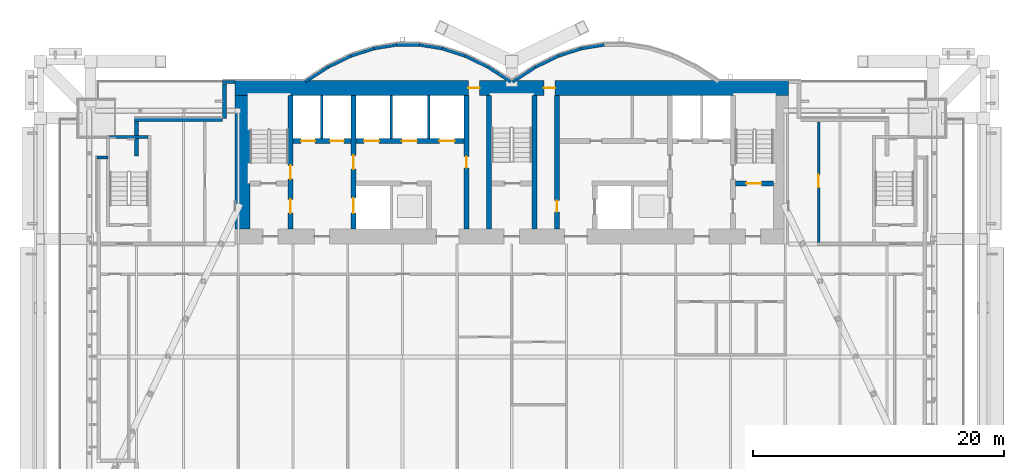
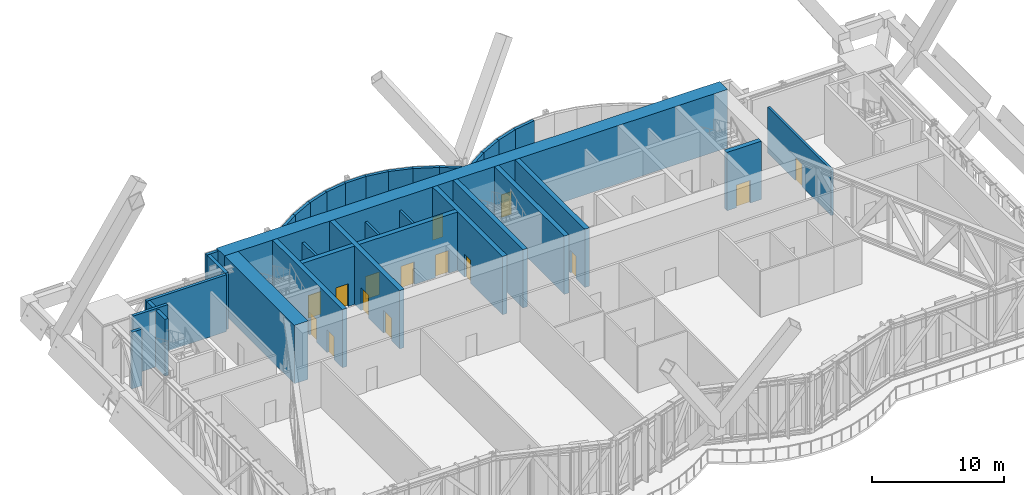
# One storey, part 26 of 32: 33 walls, 15 doors, 15 openings.
"""IFC4 building model written with IfcOpenShell, lengths in metres."""

import ifcopenshell
import ifcopenshell.guid

model = None  # the IFC model being written
_history = None  # IfcOwnerHistory: only IFC2X3 demands one
_inside = {}  # id of a spatial element -> (the spatial element, [elements in it])
_under = {}  # id of a project, library or spatial element -> (it, [spatial elements below it])
_declared = {}  # id of a project -> (the project, [libraries it declares])
_typed = {}  # id of a type object -> (the type object, [elements of that type])
_made_of = {}  # id of a material, layer set ... -> (it, [elements and type objects made of it])


def new_model(schema):
    """Start an empty IFC model of exactly this schema.

    Asked for "IFC4X3", IfcOpenShell would pick the latest addendum, in which some entities
    have other attributes; the version numbers below select the first issue.
    IFC2X3 requires an IfcOwnerHistory on every rooted entity: one is made here for all.
    """
    global model, _history
    if schema == "IFC4X3":
        model = ifcopenshell.file(schema_version=(4, 3, 0, 0))
    else:
        model = ifcopenshell.file(schema=schema)
    _inside.clear()
    _under.clear()
    _declared.clear()
    _typed.clear()
    _made_of.clear()
    _history = None
    if model.schema == "IFC2X3":
        org = make("IfcOrganization", Name="unknown")
        user = make(
            "IfcPersonAndOrganization",
            ThePerson=make("IfcPerson", FamilyName="unknown"),
            TheOrganization=org,
        )
        app = make(
            "IfcApplication",
            ApplicationDeveloper=org,
            Version="unknown",
            ApplicationFullName="unknown",
            ApplicationIdentifier="unknown",
        )
        _history = make(
            "IfcOwnerHistory",
            OwningUser=user,
            OwningApplication=app,
            ChangeAction="ADDED",
            CreationDate=0,
        )
    return model


def make(cls, **values):
    """One entity of the class cls with the attributes given. An attribute that is None is left unset."""
    return model.create_entity(
        cls, **{name: value for name, value in values.items() if value is not None}
    )


def rooted(cls, **values):
    """An entity with a GlobalId (a new one), such as an element, a storey or a relation."""
    return make(cls, GlobalId=ifcopenshell.guid.new(), OwnerHistory=_history, **values)


def si_unit(unit_type, name, prefix=None):
    """IfcSIUnit, for example si_unit("LENGTHUNIT", "METRE", prefix="MILLI")."""
    return make("IfcSIUnit", UnitType=unit_type, Prefix=prefix, Name=name)


def assignment(units):
    """IfcUnitAssignment: the units of a project."""
    return None if units is None else make("IfcUnitAssignment", Units=units)


def point(xyz):
    """IfcCartesianPoint."""
    return None if xyz is None else make("IfcCartesianPoint", Coordinates=xyz)


def direction(xyz):
    """IfcDirection."""
    return None if xyz is None else make("IfcDirection", DirectionRatios=xyz)


def frame(location, z_axis=None, x_axis=None):
    """IfcAxis2Placement3D, a coordinate frame: its origin and axes. An axis left out is left unset."""
    return make(
        "IfcAxis2Placement3D",
        Location=point(location),
        Axis=direction(z_axis),
        RefDirection=direction(x_axis),
    )


def frame_2d(location, x_axis=None):
    """IfcAxis2Placement2D, a coordinate frame in the plane: its origin and x axis."""
    return make(
        "IfcAxis2Placement2D", Location=point(location), RefDirection=direction(x_axis)
    )


def origin():
    """The frame at (0, 0, 0) with its axes left unset."""
    return frame((0.0, 0.0, 0.0))


def place(relative_to, where):
    """IfcLocalPlacement: puts the frame where relative to a parent placement (None: the world)."""
    return make(
        "IfcLocalPlacement", PlacementRelTo=relative_to, RelativePlacement=where
    )


def context(
    kind, dimensions, precision=None, world=None, true_north=None, identifier=None
):
    """IfcGeometricRepresentationContext, for example the 3D "Model" context."""
    return make(
        "IfcGeometricRepresentationContext",
        ContextIdentifier=identifier,
        ContextType=kind,
        CoordinateSpaceDimension=dimensions,
        Precision=precision,
        WorldCoordinateSystem=world,
        TrueNorth=true_north,
    )


def subcontext(parent, identifier, kind, view, scale=None):
    """IfcGeometricRepresentationSubContext, for example "Body" below "Model"."""
    return make(
        "IfcGeometricRepresentationSubContext",
        ContextIdentifier=identifier,
        ContextType=kind,
        ParentContext=parent,
        TargetScale=scale,
        TargetView=view,
    )


def project(units=None, contexts=None):
    """IfcProject with its units and contexts."""
    return rooted(
        "IfcProject",
        Name="project",
        RepresentationContexts=contexts,
        UnitsInContext=assignment(units),
    )


def spatial(cls, under=None, at=None, **own):
    """A site, building, storey or space (cls), placed at a placement, below another one or the project."""
    s = rooted(cls, ObjectPlacement=at, **own)
    if under is not None:
        _under.setdefault(under.id(), (under, []))[1].append(s)
    return s


def profile(cls, at=None, kind="AREA", **sizes):
    """A parametric profile (cls). Its sizes go by their IFC names, for example OverallWidth=200.0."""
    return make(cls, ProfileType=kind, Position=at, **sizes)


def rectangle(**sizes):
    """IfcRectangleProfileDef."""
    return profile("IfcRectangleProfileDef", **sizes)


def extrude(swept, where, along, depth):
    """IfcExtrudedAreaSolid: the profile swept, set in the frame where, extruded along a direction by depth."""
    return make(
        "IfcExtrudedAreaSolid",
        SweptArea=swept,
        Position=where,
        ExtrudedDirection=direction(along),
        Depth=depth,
    )


def shape(context_of_items, identifier, shape_type, items):
    """IfcShapeRepresentation: the items that make up one representation, for example the "Body"."""
    return make(
        "IfcShapeRepresentation",
        ContextOfItems=context_of_items,
        RepresentationIdentifier=identifier,
        RepresentationType=shape_type,
        Items=items,
    )


def material(Name=None, Category=None):
    """IfcMaterial."""
    return make("IfcMaterial", Name=Name, Category=Category)


def layer(
    of_material, thickness, ventilated=None, Name=None, Category=None, Priority=None
):
    """IfcMaterialLayer: one layer of a wall or slab, of a material (None: an air gap)."""
    return make(
        "IfcMaterialLayer",
        Material=of_material,
        LayerThickness=thickness,
        IsVentilated=ventilated,
        Name=Name,
        Category=Category,
        Priority=Priority,
    )


def layer_set(layers, Name=None):
    """IfcMaterialLayerSet."""
    return make("IfcMaterialLayerSet", MaterialLayers=layers, LayerSetName=Name)


def layer_usage(for_layer_set, set_direction, sense, offset, extent=None):
    """IfcMaterialLayerSetUsage: how a layer set lies in its element."""
    return make(
        "IfcMaterialLayerSetUsage",
        ForLayerSet=for_layer_set,
        LayerSetDirection=set_direction,
        DirectionSense=sense,
        OffsetFromReferenceLine=offset,
        ReferenceExtent=extent,
    )


def made_of(thing, what):
    """Note that an element or type object is made of a material, layer set ...; save() writes the relation."""
    if what is not None:
        _made_of.setdefault(what.id(), (what, []))[1].append(thing)
    return thing


def type_object(cls, material=None, **own):
    """A type object (cls), such as IfcWallType, which elements share."""
    return made_of(rooted(cls, **own), material)


def element(
    cls,
    number,
    at=None,
    inside=None,
    cuts=None,
    type_object=None,
    material=None,
    context=None,
    identifier="Body",
    shape_type=None,
    held_by="IfcProductDefinitionShape",
    body=None,
    shapes=None,
    **own,
):
    """One element of the class cls, such as IfcWall. Its Tag is "e" and its number.

    at: its placement. inside: the storey or other place that contains it. cuts: it is an
    opening in that element (IfcRelVoidsElement). A single representation is given by context,
    identifier, shape_type and body (its items); several are given by shapes. held_by: the class
    of the entity that holds the representations. save() writes the other relations.
    """
    e = rooted(cls, Tag="e%d" % number, ObjectPlacement=at, **own)
    if body is not None:
        shapes = [shape(context, identifier, shape_type, body)]
    if shapes is not None:
        e.Representation = make(held_by, Representations=shapes)
    if inside is not None:
        _inside.setdefault(inside.id(), (inside, []))[1].append(e)
    if cuts is not None:
        rooted(
            "IfcRelVoidsElement", RelatingBuildingElement=cuts, RelatedOpeningElement=e
        )
    if type_object is not None:
        _typed.setdefault(type_object.id(), (type_object, []))[1].append(e)
    return made_of(e, material)


def fill(opening, filler):
    """IfcRelFillsElement: the door or window that sits in an opening."""
    return rooted(
        "IfcRelFillsElement",
        RelatingOpeningElement=opening,
        RelatedBuildingElement=filler,
    )


def aggregate(whole, parts):
    """IfcRelAggregates: a whole, such as a stair, and the parts it consists of."""
    return rooted("IfcRelAggregates", RelatingObject=whole, RelatedObjects=parts)


def save(model, path):
    """Write the relations noted so far, then the file.

    IfcRelAggregates (storeys below a building ...), IfcRelContainedInSpatialStructure (elements
    in a storey), IfcRelDefinesByType, IfcRelAssociatesMaterial and IfcRelDeclares: one each for
    every whole, place, type object, material and project.
    """
    for whole, parts in _under.values():
        aggregate(whole, parts)
    for where, things in _inside.values():
        rooted(
            "IfcRelContainedInSpatialStructure",
            RelatedElements=things,
            RelatingStructure=where,
        )
    for kind, things in _typed.values():
        rooted("IfcRelDefinesByType", RelatedObjects=things, RelatingType=kind)
    for what, things in _made_of.values():
        rooted("IfcRelAssociatesMaterial", RelatedObjects=things, RelatingMaterial=what)
    for by, libraries in _declared.values():
        rooted("IfcRelDeclares", RelatingContext=by, RelatedDefinitions=libraries)
    model.write(path)


model = new_model("IFC4")

# Units and contexts
model_context = context("Model", 3, precision=1e-05, world=origin(), true_north=direction((0.0, 1.0)))
body_context = subcontext(model_context, "Body", "Model", "MODEL_VIEW")
ifc_project = project(units=[si_unit("LENGTHUNIT", "METRE"), si_unit("AREAUNIT", "SQUARE_METRE"), si_unit("VOLUMEUNIT", "CUBIC_METRE"), si_unit("PLANEANGLEUNIT", "RADIAN"), si_unit("MASSUNIT", "GRAM", prefix="KILO")], contexts=[model_context])

# Site, building, storey
site_placement = place(None, origin())
site = spatial("IfcSite", under=ifc_project, at=site_placement, CompositionType="ELEMENT")
building_placement = place(site_placement, origin())
building = spatial("IfcBuilding", under=site, at=building_placement, Name="Bicima Exchange Tower", CompositionType="ELEMENT")
storey_placement = place(building_placement, frame((0.0, 0.0, 135.0)))
storey = spatial("IfcBuildingStorey", under=building, at=storey_placement, Name="L29", CompositionType="ELEMENT", Elevation=135.0)

# Walls
ifc_material_1 = material(Name="Gypsum board partition")
ifc_layer_1 = layer(ifc_material_1, 0.199951171875)
ifc_layer_set_1 = layer_set([ifc_layer_1], Name="Gypsum board partition")
wall_type_1 = type_object("IfcWallType", Name="Fire-rated gypsum partition 200 EI120", PredefinedType="PARTITIONING", material=ifc_layer_set_1)
for number, where, z_axis, x_axis, name in (
    (1, (-15.10009765625, -4.60009765625, 0.0), (0.0, 0.0, 1.0), (0.0, 1.0, 0.0), "partition wall 9"),
    (2, (-9.60009765625, -4.60009765625, 0.0), (0.0, 0.0, 1.0), (0.0, 1.0, 0.0), "partition wall 12"),
    (3, (-6.60009765625, -4.60009765625, 0.0), (0.0, 0.0, 1.0), (0.0, 1.0, 0.0), "partition wall 14"),
):
    element("IfcWall", number, at=place(storey_placement, frame(where, z_axis=z_axis, x_axis=x_axis)), inside=storey, type_object=wall_type_1, Name=name, PredefinedType="PARTITIONING", context=body_context, shape_type="SweptSolid", body=[
        extrude(rectangle(XDim=3.400146484375, YDim=0.199951171875, at=frame_2d((1.7001953125, 0.0))), origin(), (0.0, 0.0, 1.0), 4.239501953125),
    ])

# Wall, opening, door
ifc_layer_2 = layer(ifc_material_1, 0.199951171875)
ifc_layer_set_2 = layer_set([ifc_layer_2], Name="Gypsum board partition")
wall_type_2 = type_object("IfcWallType", Name="Fire-rated gypsum partition 200 EI60", PredefinedType="PARTITIONING", material=ifc_layer_set_2)
wall_1_placement = place(storey_placement, frame((24.39990234375, -12.89990234375, 0.0), z_axis=(0.0, 0.0, 1.0), x_axis=(0.0, 1.0, 0.0)))
wall_1 = element("IfcWall", 4, at=wall_1_placement, inside=storey, type_object=wall_type_2, Name="partition wall 29", PredefinedType="PARTITIONING", context=body_context, shape_type="SweptSolid", body=[
    extrude(rectangle(XDim=9.599853515625, YDim=0.199951171875, at=frame_2d((4.7998046875, 0.0))), origin(), (0.0, 0.0, 1.0), 4.239501953125),
])
opening_1_placement = place(wall_1_placement, frame((4.39990234375, 0.0, 0.0)))
opening_1 = element("IfcOpeningElement", 5, at=opening_1_placement, cuts=wall_1, Name="Opening L29-006", PredefinedType="OPENING", context=body_context, shape_type="SweptSolid", body=[
    extrude(rectangle(XDim=1.0, YDim=2.10009765625, at=frame_2d((0.5, 1.050048828125))), frame((0.0, 0.11181640625, 0.0), z_axis=(0.0, -1.0, 0.0), x_axis=(1.0, 0.0, 0.0)), (0.0, 0.0, 1.0), 0.223876953125),
])
ifc_material_2 = material(Name="Steel fire door leaf", Category="steel")
door_type_1 = type_object("IfcDoorType", Name="Door 1000 swing FD30S", OperationType="SINGLE_SWING_LEFT", PredefinedType="DOOR", material=ifc_material_2)
door_1_placement = place(opening_1_placement, frame((1.0, 0.0, 0.0), z_axis=(0.0, 0.0, 1.0), x_axis=(-1.0, 0.0, 0.0)))
door_1 = element("IfcDoor", 6, at=door_1_placement, inside=storey, type_object=door_type_1, Name="Door", OperationType="SINGLE_SWING_RIGHT", OverallHeight=2.10009765625, OverallWidth=1.0, PredefinedType="DOOR", context=body_context, shape_type="SweptSolid", body=[
    extrude(rectangle(XDim=1.0, YDim=2.10009765625, at=frame_2d((0.5, 1.050048828125))), frame((0.0, 0.02490234375, 0.0), z_axis=(0.0, -1.0, 0.0), x_axis=(1.0, 0.0, 0.0)), (0.0, 0.0, 1.0), 0.050048828125),
])
fill(opening_1, door_1)

# Wall, openings, doors
ifc_material_3 = material(Name="Concrete C60/75", Category="concrete")
ifc_layer_3 = layer(ifc_material_3, 1.199951171875)
ifc_layer_set_3 = layer_set([ifc_layer_3], Name="Concrete C60/75")
wall_type_3 = type_object("IfcWallType", Name="RC core wall 1200 C60/75", PredefinedType="SHEAR", material=ifc_layer_set_3)
wall_2_placement = place(storey_placement, frame((-22.0, -0.60009765625, 0.0), z_axis=(0.0, 0.0, 1.0), x_axis=(1.0, 0.0, 0.0)))
wall_2 = element("IfcWall", 7, at=wall_2_placement, inside=storey, type_object=wall_type_3, Name="Core wall north", PredefinedType="SHEAR", context=body_context, shape_type="SweptSolid", body=[
    extrude(rectangle(XDim=44.0, YDim=1.199951171875, at=frame_2d((22.0, 0.0))), origin(), (0.0, 0.0, 1.0), 5.39990234375),
])
opening_2_placement = place(wall_2_placement, frame((18.550048828125, 0.0, 0.0)))
opening_2 = element("IfcOpeningElement", 8, at=opening_2_placement, cuts=wall_2, Name="Opening L29-C14", PredefinedType="OPENING", context=body_context, shape_type="SweptSolid", body=[
    extrude(rectangle(XDim=0.89990234375, YDim=2.10009765625, at=frame_2d((0.449951171875, 1.050048828125))), frame((0.0, 0.61181640625, 0.0), z_axis=(0.0, -1.0, 0.0), x_axis=(1.0, 0.0, 0.0)), (0.0, 0.0, 1.0), 1.223876953125),
])
opening_3_placement = place(wall_2_placement, frame((24.550048828125, 0.0, 0.0)))
opening_3 = element("IfcOpeningElement", 9, at=opening_3_placement, cuts=wall_2, Name="Opening L29-C15", PredefinedType="OPENING", context=body_context, shape_type="SweptSolid", body=[
    extrude(rectangle(XDim=0.89990234375, YDim=2.10009765625, at=frame_2d((0.449951171875, 1.050048828125))), frame((0.0, 0.61181640625, 0.0), z_axis=(0.0, -1.0, 0.0), x_axis=(1.0, 0.0, 0.0)), (0.0, 0.0, 1.0), 1.223876953125),
])
door_type_2 = type_object("IfcDoorType", Name="Door 900 swing FD30S", OperationType="SINGLE_SWING_LEFT", PredefinedType="DOOR", material=ifc_material_2)
door_2_placement = place(opening_2_placement, origin())
door_2 = element("IfcDoor", 10, at=door_2_placement, inside=storey, type_object=door_type_2, Name="Core door", OperationType="SINGLE_SWING_LEFT", OverallHeight=2.10009765625, OverallWidth=0.89990234375, PredefinedType="DOOR", context=body_context, shape_type="SweptSolid", body=[
    extrude(rectangle(XDim=0.89990234375, YDim=2.10009765625, at=frame_2d((0.449951171875, 1.050048828125))), frame((0.0, 0.02490234375, 0.0), z_axis=(0.0, -1.0, 0.0), x_axis=(1.0, 0.0, 0.0)), (0.0, 0.0, 1.0), 0.050048828125),
])
fill(opening_2, door_2)
door_3_placement = place(opening_3_placement, origin())
door_3 = element("IfcDoor", 11, at=door_3_placement, inside=storey, type_object=door_type_2, Name="Core door", OperationType="SINGLE_SWING_LEFT", OverallHeight=2.10009765625, OverallWidth=0.89990234375, PredefinedType="DOOR", context=body_context, shape_type="SweptSolid", body=[
    extrude(rectangle(XDim=0.89990234375, YDim=2.10009765625, at=frame_2d((0.449951171875, 1.050048828125))), frame((0.0, 0.02490234375, 0.0), z_axis=(0.0, -1.0, 0.0), x_axis=(1.0, 0.0, 0.0)), (0.0, 0.0, 1.0), 0.050048828125),
])
fill(opening_3, door_3)

# Wall
wall_3_placement = place(storey_placement, frame((-21.39990234375, -11.800048828125, 0.0), z_axis=(0.0, 0.0, 1.0), x_axis=(0.0, 1.0, 0.0)))
element("IfcWall", 12, at=wall_3_placement, inside=storey, type_object=wall_type_3, Name="Core wall west", PredefinedType="SHEAR", context=body_context, shape_type="SweptSolid", body=[
    extrude(rectangle(XDim=10.60009765625, YDim=1.199951171875, at=frame_2d((5.300048828125, 0.0))), origin(), (0.0, 0.0, 1.0), 5.39990234375),
])

# Wall, opening, door
ifc_material_4 = material(Name="Concrete C50/60", Category="concrete")
ifc_layer_4 = layer(ifc_material_4, 0.39990234375)
ifc_layer_set_4 = layer_set([ifc_layer_4], Name="Concrete C50/60")
wall_type_4 = type_object("IfcWallType", Name="RC core wall 400 C50/60", PredefinedType="SHEAR", material=ifc_layer_set_4)
wall_4_placement = place(storey_placement, frame((17.800048828125, -8.199951171875, 0.0), z_axis=(0.0, 0.0, 1.0), x_axis=(1.0, 0.0, 0.0)))
wall_4 = element("IfcWall", 13, at=wall_4_placement, inside=storey, type_object=wall_type_4, Name="stair wall 5", PredefinedType="SHEAR", context=body_context, shape_type="SweptSolid", body=[
    extrude(rectangle(XDim=3.0, YDim=0.39990234375, at=frame_2d((1.5, 0.0))), origin(), (0.0, 0.0, 1.0), 5.39990234375),
])
opening_4_placement = place(wall_4_placement, frame((0.85009765625, 0.0, 0.0)))
opening_4 = element("IfcOpeningElement", 14, at=opening_4_placement, cuts=wall_4, Name="Opening L29-C04", PredefinedType="OPENING", context=body_context, shape_type="SweptSolid", body=[
    extrude(rectangle(XDim=1.199951171875, YDim=2.10009765625, at=frame_2d((0.60009765625, 1.050048828125))), frame((0.0, 0.2119140625, 0.0), z_axis=(0.0, -1.0, 0.0), x_axis=(1.0, 0.0, 0.0)), (0.0, 0.0, 1.0), 0.423828125),
])
door_type_3 = type_object("IfcDoorType", Name="Door 1200 swing FD60S", OperationType="SINGLE_SWING_LEFT", PredefinedType="DOOR", material=ifc_material_2)
door_4_placement = place(opening_4_placement, origin())
door_4 = element("IfcDoor", 15, at=door_4_placement, inside=storey, type_object=door_type_3, Name="Core door", OperationType="SINGLE_SWING_RIGHT", OverallHeight=2.10009765625, OverallWidth=1.199951171875, PredefinedType="DOOR", context=body_context, shape_type="SweptSolid", body=[
    extrude(rectangle(XDim=1.199951171875, YDim=2.10009765625, at=frame_2d((0.60009765625, 1.050048828125))), frame((0.0, 0.02490234375, 0.0), z_axis=(0.0, -1.0, 0.0), x_axis=(1.0, 0.0, 0.0)), (0.0, 0.0, 1.0), 0.050048828125),
])
fill(opening_4, door_4)

# Wall, openings, doors
wall_5_placement = place(storey_placement, frame((-17.60009765625, -11.800048828125, 0.0), z_axis=(0.0, 0.0, 1.0), x_axis=(0.0, 1.0, 0.0)))
wall_5 = element("IfcWall", 16, at=wall_5_placement, inside=storey, type_object=wall_type_4, Name="stair wall 8", PredefinedType="SHEAR", context=body_context, shape_type="SweptSolid", body=[
    extrude(rectangle(XDim=10.60009765625, YDim=0.39990234375, at=frame_2d((5.300048828125, 0.0))), origin(), (0.0, 0.0, 1.0), 5.39990234375),
])
opening_5_placement = place(wall_5_placement, frame((1.25, 0.0, 0.0)))
opening_5 = element("IfcOpeningElement", 17, at=opening_5_placement, cuts=wall_5, Name="Opening L29-C02", PredefinedType="OPENING", context=body_context, shape_type="SweptSolid", body=[
    extrude(rectangle(XDim=1.10009765625, YDim=2.10009765625, at=frame_2d((0.550048828125, 1.050048828125))), frame((0.0, 0.2119140625, 0.0), z_axis=(0.0, -1.0, 0.0), x_axis=(1.0, 0.0, 0.0)), (0.0, 0.0, 1.0), 0.423828125),
])
opening_6_placement = place(wall_5_placement, frame((3.949951171875, 0.0, 0.0)))
opening_6 = element("IfcOpeningElement", 18, at=opening_6_placement, cuts=wall_5, Name="Opening L29-C06", PredefinedType="OPENING", context=body_context, shape_type="SweptSolid", body=[
    extrude(rectangle(XDim=1.10009765625, YDim=2.10009765625, at=frame_2d((0.550048828125, 1.050048828125))), frame((0.0, 0.2119140625, 0.0), z_axis=(0.0, -1.0, 0.0), x_axis=(1.0, 0.0, 0.0)), (0.0, 0.0, 1.0), 0.423828125),
])
door_type_4 = type_object("IfcDoorType", Name="Door 1100 swing FD60S", OperationType="SINGLE_SWING_LEFT", PredefinedType="DOOR", material=ifc_material_2)
door_5_placement = place(opening_5_placement, frame((1.10009765625, 0.0, 0.0), z_axis=(0.0, 0.0, 1.0), x_axis=(-1.0, 0.0, 0.0)))
door_5 = element("IfcDoor", 19, at=door_5_placement, inside=storey, type_object=door_type_4, Name="Core door", OperationType="SINGLE_SWING_LEFT", OverallHeight=2.10009765625, OverallWidth=1.10009765625, PredefinedType="DOOR", context=body_context, shape_type="SweptSolid", body=[
    extrude(rectangle(XDim=1.10009765625, YDim=2.10009765625, at=frame_2d((0.550048828125, 1.050048828125))), frame((0.0, 0.02490234375, 0.0), z_axis=(0.0, -1.0, 0.0), x_axis=(1.0, 0.0, 0.0)), (0.0, 0.0, 1.0), 0.050048828125),
])
fill(opening_5, door_5)
door_6_placement = place(opening_6_placement, frame((1.10009765625, 0.0, 0.0), z_axis=(0.0, 0.0, 1.0), x_axis=(-1.0, 0.0, 0.0)))
door_6 = element("IfcDoor", 20, at=door_6_placement, inside=storey, type_object=door_type_4, Name="Core door", OperationType="SINGLE_SWING_LEFT", OverallHeight=2.10009765625, OverallWidth=1.10009765625, PredefinedType="DOOR", context=body_context, shape_type="SweptSolid", body=[
    extrude(rectangle(XDim=1.10009765625, YDim=2.10009765625, at=frame_2d((0.550048828125, 1.050048828125))), frame((0.0, 0.02490234375, 0.0), z_axis=(0.0, -1.0, 0.0), x_axis=(1.0, 0.0, 0.0)), (0.0, 0.0, 1.0), 0.050048828125),
])
fill(opening_6, door_6)

# Walls
for number, where, z_axis, x_axis, name in (
    (21, (-1.800048828125, -11.800048828125, 0.0), (0.0, 0.0, 1.0), (0.0, 1.0, 0.0), "stair wall 16"),
    (22, (1.800048828125, -11.800048828125, 0.0), (0.0, 0.0, 1.0), (0.0, 1.0, 0.0), "stair wall 17"),
):
    element("IfcWall", number, at=place(storey_placement, frame(where, z_axis=z_axis, x_axis=x_axis)), inside=storey, type_object=wall_type_4, Name=name, PredefinedType="SHEAR", context=body_context, shape_type="SweptSolid", body=[
        extrude(rectangle(XDim=10.60009765625, YDim=0.39990234375, at=frame_2d((5.300048828125, 0.0))), origin(), (0.0, 0.0, 1.0), 5.39990234375),
    ])

# Wall, openings, doors
ifc_layer_5 = layer(ifc_material_3, 0.39990234375)
ifc_layer_set_5 = layer_set([ifc_layer_5], Name="Concrete C60/75")
wall_type_5 = type_object("IfcWallType", Name="RC core wall 400 C60/75", PredefinedType="SHEAR", material=ifc_layer_set_5)
wall_6_placement = place(storey_placement, frame((-17.39990234375, -4.800048828125, 0.0), z_axis=(0.0, 0.0, 1.0), x_axis=(1.0, 0.0, 0.0)))
wall_6 = element("IfcWall", 23, at=wall_6_placement, inside=storey, type_object=wall_type_5, Name="shear wall 6", PredefinedType="SHEAR", context=body_context, shape_type="SweptSolid", body=[
    extrude(rectangle(XDim=13.599853515625, YDim=0.39990234375, at=frame_2d((6.7998046875, 0.0))), origin(), (0.0, 0.0, 1.0), 5.39990234375),
])
opening_7_placement = place(wall_6_placement, frame((0.64990234375, 0.0, 0.0)))
opening_7 = element("IfcOpeningElement", 24, at=opening_7_placement, cuts=wall_6, Name="Opening LD-FF1-L29", PredefinedType="OPENING", context=body_context, shape_type="SweptSolid", body=[
    extrude(rectangle(XDim=1.10009765625, YDim=2.10009765625, at=frame_2d((0.550048828125, 1.050048828125))), frame((0.0, 0.2119140625, 0.0), z_axis=(0.0, -1.0, 0.0), x_axis=(1.0, 0.0, 0.0)), (0.0, 0.0, 1.0), 0.423828125),
])
opening_8_placement = place(wall_6_placement, frame((2.949951171875, 0.0, 0.0)))
opening_8 = element("IfcOpeningElement", 25, at=opening_8_placement, cuts=wall_6, Name="Opening LD-FF3-L29", PredefinedType="OPENING", context=body_context, shape_type="SweptSolid", body=[
    extrude(rectangle(XDim=1.10009765625, YDim=2.10009765625, at=frame_2d((0.550048828125, 1.050048828125))), frame((0.0, 0.2119140625, 0.0), z_axis=(0.0, -1.0, 0.0), x_axis=(1.0, 0.0, 0.0)), (0.0, 0.0, 1.0), 0.423828125),
])
opening_9_placement = place(wall_6_placement, frame((5.64990234375, 0.0, 0.0)))
opening_9 = element("IfcOpeningElement", 26, at=opening_9_placement, cuts=wall_6, Name="Opening LD-LB1-L29", PredefinedType="OPENING", context=body_context, shape_type="SweptSolid", body=[
    extrude(rectangle(XDim=1.199951171875, YDim=2.10009765625, at=frame_2d((0.60009765625, 1.050048828125))), frame((0.0, 0.2119140625, 0.0), z_axis=(0.0, -1.0, 0.0), x_axis=(1.0, 0.0, 0.0)), (0.0, 0.0, 1.0), 0.423828125),
])
opening_10_placement = place(wall_6_placement, frame((8.64990234375, 0.0, 0.0)))
opening_10 = element("IfcOpeningElement", 27, at=opening_10_placement, cuts=wall_6, Name="Opening LD-LB2-L29", PredefinedType="OPENING", context=body_context, shape_type="SweptSolid", body=[
    extrude(rectangle(XDim=1.199951171875, YDim=2.10009765625, at=frame_2d((0.60009765625, 1.050048828125))), frame((0.0, 0.2119140625, 0.0), z_axis=(0.0, -1.0, 0.0), x_axis=(1.0, 0.0, 0.0)), (0.0, 0.0, 1.0), 0.423828125),
])
opening_11_placement = place(wall_6_placement, frame((11.64990234375, 0.0, 0.0)))
opening_11 = element("IfcOpeningElement", 28, at=opening_11_placement, cuts=wall_6, Name="Opening LD-LB3-L29", PredefinedType="OPENING", context=body_context, shape_type="SweptSolid", body=[
    extrude(rectangle(XDim=1.199951171875, YDim=2.10009765625, at=frame_2d((0.60009765625, 1.050048828125))), frame((0.0, 0.2119140625, 0.0), z_axis=(0.0, -1.0, 0.0), x_axis=(1.0, 0.0, 0.0)), (0.0, 0.0, 1.0), 0.423828125),
])
ifc_material_5 = material(Name="Stainless steel", Category="steel")
door_type_5 = type_object("IfcDoorType", Name="Lift landing door 1100 sliding", OperationType="DOUBLE_DOOR_SLIDING", PredefinedType="DOOR", material=ifc_material_5)
door_7_placement = place(opening_7_placement, origin())
door_7 = element("IfcDoor", 29, at=door_7_placement, inside=storey, type_object=door_type_5, Name="Lift landing door FF1", OperationType="DOUBLE_DOOR_SLIDING", OverallHeight=2.10009765625, OverallWidth=1.10009765625, PredefinedType="DOOR", context=body_context, shape_type="SweptSolid", body=[
    extrude(rectangle(XDim=1.10009765625, YDim=2.10009765625, at=frame_2d((0.550048828125, 1.050048828125))), frame((0.0, 0.02490234375, 0.0), z_axis=(0.0, -1.0, 0.0), x_axis=(1.0, 0.0, 0.0)), (0.0, 0.0, 1.0), 0.050048828125),
])
fill(opening_7, door_7)
door_8_placement = place(opening_8_placement, origin())
door_8 = element("IfcDoor", 30, at=door_8_placement, inside=storey, type_object=door_type_5, Name="Lift landing door FF3", OperationType="DOUBLE_DOOR_SLIDING", OverallHeight=2.10009765625, OverallWidth=1.10009765625, PredefinedType="DOOR", context=body_context, shape_type="SweptSolid", body=[
    extrude(rectangle(XDim=1.10009765625, YDim=2.10009765625, at=frame_2d((0.550048828125, 1.050048828125))), frame((0.0, 0.02490234375, 0.0), z_axis=(0.0, -1.0, 0.0), x_axis=(1.0, 0.0, 0.0)), (0.0, 0.0, 1.0), 0.050048828125),
])
fill(opening_8, door_8)
door_type_6 = type_object("IfcDoorType", Name="Lift landing door 1200 sliding", OperationType="DOUBLE_DOOR_SLIDING", PredefinedType="DOOR", material=ifc_material_5)
door_9_placement = place(opening_9_placement, origin())
door_9 = element("IfcDoor", 31, at=door_9_placement, inside=storey, type_object=door_type_6, Name="Lift landing door LB1", OperationType="DOUBLE_DOOR_SLIDING", OverallHeight=2.10009765625, OverallWidth=1.199951171875, PredefinedType="DOOR", context=body_context, shape_type="SweptSolid", body=[
    extrude(rectangle(XDim=1.199951171875, YDim=2.10009765625, at=frame_2d((0.60009765625, 1.050048828125))), frame((0.0, 0.02490234375, 0.0), z_axis=(0.0, -1.0, 0.0), x_axis=(1.0, 0.0, 0.0)), (0.0, 0.0, 1.0), 0.050048828125),
])
fill(opening_9, door_9)
door_10_placement = place(opening_10_placement, origin())
door_10 = element("IfcDoor", 32, at=door_10_placement, inside=storey, type_object=door_type_6, Name="Lift landing door LB2", OperationType="DOUBLE_DOOR_SLIDING", OverallHeight=2.10009765625, OverallWidth=1.199951171875, PredefinedType="DOOR", context=body_context, shape_type="SweptSolid", body=[
    extrude(rectangle(XDim=1.199951171875, YDim=2.10009765625, at=frame_2d((0.60009765625, 1.050048828125))), frame((0.0, 0.02490234375, 0.0), z_axis=(0.0, -1.0, 0.0), x_axis=(1.0, 0.0, 0.0)), (0.0, 0.0, 1.0), 0.050048828125),
])
fill(opening_10, door_10)
door_11_placement = place(opening_11_placement, origin())
door_11 = element("IfcDoor", 33, at=door_11_placement, inside=storey, type_object=door_type_6, Name="Lift landing door LB3", OperationType="DOUBLE_DOOR_SLIDING", OverallHeight=2.10009765625, OverallWidth=1.199951171875, PredefinedType="DOOR", context=body_context, shape_type="SweptSolid", body=[
    extrude(rectangle(XDim=1.199951171875, YDim=2.10009765625, at=frame_2d((0.60009765625, 1.050048828125))), frame((0.0, 0.02490234375, 0.0), z_axis=(0.0, -1.0, 0.0), x_axis=(1.0, 0.0, 0.0)), (0.0, 0.0, 1.0), 0.050048828125),
])
fill(opening_11, door_11)

wall_7_placement = place(storey_placement, frame((-12.60009765625, -11.800048828125, 0.0), z_axis=(0.0, 0.0, 1.0), x_axis=(0.0, 1.0, 0.0)))
wall_7 = element("IfcWall", 34, at=wall_7_placement, inside=storey, type_object=wall_type_5, Name="shear wall 10", PredefinedType="SHEAR", context=body_context, shape_type="SweptSolid", body=[
    extrude(rectangle(XDim=10.60009765625, YDim=0.39990234375, at=frame_2d((5.300048828125, 0.0))), origin(), (0.0, 0.0, 1.0), 5.39990234375),
])
opening_12_placement = place(wall_7_placement, frame((1.25, 0.0, 0.0)))
opening_12 = element("IfcOpeningElement", 35, at=opening_12_placement, cuts=wall_7, Name="Opening LD-SH1-L29", PredefinedType="OPENING", context=body_context, shape_type="SweptSolid", body=[
    extrude(rectangle(XDim=1.199951171875, YDim=2.10009765625, at=frame_2d((0.60009765625, 1.050048828125))), frame((0.0, 0.2119140625, 0.0), z_axis=(0.0, -1.0, 0.0), x_axis=(1.0, 0.0, 0.0)), (0.0, 0.0, 1.0), 0.423828125),
])
opening_13_placement = place(wall_7_placement, frame((4.75, 0.0, 0.0)))
opening_13 = element("IfcOpeningElement", 36, at=opening_13_placement, cuts=wall_7, Name="Opening L29-C07", PredefinedType="OPENING", context=body_context, shape_type="SweptSolid", body=[
    extrude(rectangle(XDim=1.10009765625, YDim=2.10009765625, at=frame_2d((0.550048828125, 1.050048828125))), frame((0.0, 0.2119140625, 0.0), z_axis=(0.0, -1.0, 0.0), x_axis=(1.0, 0.0, 0.0)), (0.0, 0.0, 1.0), 0.423828125),
])
door_12_placement = place(opening_13_placement, origin())
door_12 = element("IfcDoor", 37, at=door_12_placement, inside=storey, type_object=door_type_4, Name="Core door", OperationType="SINGLE_SWING_LEFT", OverallHeight=2.10009765625, OverallWidth=1.10009765625, PredefinedType="DOOR", context=body_context, shape_type="SweptSolid", body=[
    extrude(rectangle(XDim=1.10009765625, YDim=2.10009765625, at=frame_2d((0.550048828125, 1.050048828125))), frame((0.0, 0.02490234375, 0.0), z_axis=(0.0, -1.0, 0.0), x_axis=(1.0, 0.0, 0.0)), (0.0, 0.0, 1.0), 0.050048828125),
])
fill(opening_13, door_12)
door_13_placement = place(opening_12_placement, origin())
door_13 = element("IfcDoor", 38, at=door_13_placement, inside=storey, type_object=door_type_6, Name="Lift landing door SH1", OperationType="DOUBLE_DOOR_SLIDING", OverallHeight=2.10009765625, OverallWidth=1.199951171875, PredefinedType="DOOR", context=body_context, shape_type="SweptSolid", body=[
    extrude(rectangle(XDim=1.199951171875, YDim=2.10009765625, at=frame_2d((0.60009765625, 1.050048828125))), frame((0.0, 0.02490234375, 0.0), z_axis=(0.0, -1.0, 0.0), x_axis=(1.0, 0.0, 0.0)), (0.0, 0.0, 1.0), 0.050048828125),
])
fill(opening_12, door_13)

# Wall, opening, door
wall_8_placement = place(storey_placement, frame((-3.60009765625, -11.800048828125, 0.0), z_axis=(0.0, 0.0, 1.0), x_axis=(0.0, 1.0, 0.0)))
wall_8 = element("IfcWall", 39, at=wall_8_placement, inside=storey, type_object=wall_type_5, Name="shear wall 15", PredefinedType="SHEAR", context=body_context, shape_type="SweptSolid", body=[
    extrude(rectangle(XDim=10.60009765625, YDim=0.39990234375, at=frame_2d((5.300048828125, 0.0))), origin(), (0.0, 0.0, 1.0), 5.39990234375),
])
opening_14_placement = place(wall_8_placement, frame((4.85009765625, 0.0, 0.0)))
opening_14 = element("IfcOpeningElement", 40, at=opening_14_placement, cuts=wall_8, Name="Opening L29-C10", PredefinedType="OPENING", context=body_context, shape_type="SweptSolid", body=[
    extrude(rectangle(XDim=0.89990234375, YDim=2.10009765625, at=frame_2d((0.449951171875, 1.050048828125))), frame((0.0, 0.2119140625, 0.0), z_axis=(0.0, -1.0, 0.0), x_axis=(1.0, 0.0, 0.0)), (0.0, 0.0, 1.0), 0.423828125),
])
door_14_placement = place(opening_14_placement, frame((0.89990234375, 0.0, 0.0), z_axis=(0.0, 0.0, 1.0), x_axis=(-1.0, 0.0, 0.0)))
door_14 = element("IfcDoor", 41, at=door_14_placement, inside=storey, type_object=door_type_2, Name="Core door", OperationType="SINGLE_SWING_LEFT", OverallHeight=2.10009765625, OverallWidth=0.89990234375, PredefinedType="DOOR", context=body_context, shape_type="SweptSolid", body=[
    extrude(rectangle(XDim=0.89990234375, YDim=2.10009765625, at=frame_2d((0.449951171875, 1.050048828125))), frame((0.0, 0.02490234375, 0.0), z_axis=(0.0, -1.0, 0.0), x_axis=(1.0, 0.0, 0.0)), (0.0, 0.0, 1.0), 0.050048828125),
])
fill(opening_14, door_14)

wall_9_placement = place(storey_placement, frame((3.60009765625, -11.800048828125, 0.0), z_axis=(0.0, 0.0, 1.0), x_axis=(0.0, 1.0, 0.0)))
wall_9 = element("IfcWall", 42, at=wall_9_placement, inside=storey, type_object=wall_type_5, Name="shear wall 18", PredefinedType="SHEAR", context=body_context, shape_type="SweptSolid", body=[
    extrude(rectangle(XDim=10.60009765625, YDim=0.39990234375, at=frame_2d((5.300048828125, 0.0))), origin(), (0.0, 0.0, 1.0), 5.39990234375),
])
opening_15_placement = place(wall_9_placement, frame((1.35009765625, 0.0, 0.0)))
opening_15 = element("IfcOpeningElement", 43, at=opening_15_placement, cuts=wall_9, Name="Opening L29-C11", PredefinedType="OPENING", context=body_context, shape_type="SweptSolid", body=[
    extrude(rectangle(XDim=0.89990234375, YDim=2.10009765625, at=frame_2d((0.449951171875, 1.050048828125))), frame((0.0, 0.2119140625, 0.0), z_axis=(0.0, -1.0, 0.0), x_axis=(1.0, 0.0, 0.0)), (0.0, 0.0, 1.0), 0.423828125),
])
door_15_placement = place(opening_15_placement, origin())
door_15 = element("IfcDoor", 44, at=door_15_placement, inside=storey, type_object=door_type_2, Name="Core door", OperationType="SINGLE_SWING_LEFT", OverallHeight=2.10009765625, OverallWidth=0.89990234375, PredefinedType="DOOR", context=body_context, shape_type="SweptSolid", body=[
    extrude(rectangle(XDim=0.89990234375, YDim=2.10009765625, at=frame_2d((0.449951171875, 1.050048828125))), frame((0.0, 0.02490234375, 0.0), z_axis=(0.0, -1.0, 0.0), x_axis=(1.0, 0.0, 0.0)), (0.0, 0.0, 1.0), 0.050048828125),
])
fill(opening_15, door_15)

# Walls
ifc_layer_6 = layer(ifc_material_4, 0.25)
ifc_layer_set_6 = layer_set([ifc_layer_6], Name="Concrete C50/60")
wall_type_6 = type_object("IfcWallType", Name="RC stair enclosure wall 250 C50/60", PredefinedType="SHEAR", material=ifc_layer_set_6)
wall_10_placement = place(storey_placement, frame((-31.97509765625, -4.5, 0.0), z_axis=(0.0, 0.0, 1.0), x_axis=(1.0, 0.0, 0.0)))
element("IfcWall", 45, at=wall_10_placement, inside=storey, type_object=wall_type_6, Name="West end exit stair wall N", PredefinedType="SHEAR", context=body_context, shape_type="SweptSolid", body=[
    extrude(rectangle(XDim=3.050048828125, YDim=0.25, at=frame_2d((1.52490234375, 0.0))), origin(), (0.0, 0.0, 1.0), 5.39990234375),
])
ifc_material_6 = material(Name="Concrete C40/50", Category="concrete")
ifc_layer_7 = layer(ifc_material_6, 0.25)
ifc_layer_set_7 = layer_set([ifc_layer_7], Name="Concrete C40/50")
ifc_layer_usage_1 = layer_usage(ifc_layer_set_7, "AXIS2", "POSITIVE", -0.125)
wall_type_7 = type_object("IfcWallType", Name="Rear backup wall 250", PredefinedType="STANDARD", material=ifc_layer_set_7)
wall_11_placement = place(storey_placement, frame((7.353271484375, 2.839599609375, 0.0), z_axis=(0.0, 0.0, 1.0), x_axis=(-0.987181718931, -0.159600293885, 0.0)))
element("IfcWall", 46, at=wall_11_placement, inside=storey, type_object=wall_type_7, material=ifc_layer_usage_1, Name="Rear backup wall L29 13", PredefinedType="STANDARD", context=body_context, shape_type="SweptSolid", body=[
    extrude(rectangle(XDim=1.857177734375, YDim=0.25, at=frame_2d((0.9287109375, 0.0))), origin(), (0.0, 0.0, 1.0), 5.25),
])
wall_12_placement = place(storey_placement, frame((5.538330078125, 2.5478515625, 0.0), z_axis=(0.0, 0.0, 1.0), x_axis=(-0.951495806175, -0.307661714928, 0.0)))
element("IfcWall", 47, at=wall_12_placement, inside=storey, type_object=wall_type_7, material=ifc_layer_usage_1, Name="Rear backup wall L29 14", PredefinedType="STANDARD", context=body_context, shape_type="SweptSolid", body=[
    extrude(rectangle(XDim=1.9267578125, YDim=0.25, at=frame_2d((0.96337890625, 0.0))), origin(), (0.0, 0.0, 1.0), 5.25),
])
wall_13_placement = place(storey_placement, frame((3.72119140625, 1.961669921875, 0.0), z_axis=(0.0, 0.0, 1.0), x_axis=(-0.89982408427, -0.436252928206, 0.0)))
element("IfcWall", 48, at=wall_13_placement, inside=storey, type_object=wall_type_7, material=ifc_layer_usage_1, Name="Rear backup wall L29 15", PredefinedType="STANDARD", context=body_context, shape_type="SweptSolid", body=[
    extrude(rectangle(XDim=2.03759765625, YDim=0.25, at=frame_2d((1.018798828125, 0.0))), origin(), (0.0, 0.0, 1.0), 5.25),
])
for number, where, z_axis, x_axis, name in (
    (49, (1.901123046875, 1.080078125, 0.0), (0.0, 0.0, 1.0), (-0.83981312244, -0.542875602121, 0.0), "Rear backup wall L29 16"),
    (50, (-0.06787109375, -0.10498046875, 0.0), (0.0, 0.0, 1.0), (-0.83981312244, 0.542875602121, 0.0), "Rear backup wall L29 17"),
):
    element("IfcWall", number, at=place(storey_placement, frame(where, z_axis=z_axis, x_axis=x_axis)), inside=storey, type_object=wall_type_7, material=ifc_layer_usage_1, Name=name, PredefinedType="STANDARD", context=body_context, shape_type="SweptSolid", body=[
        extrude(rectangle(XDim=2.182861328125, YDim=0.25, at=frame_2d((1.09130859375, 0.0))), origin(), (0.0, 0.0, 1.0), 5.25),
    ])
wall_14_placement = place(storey_placement, frame((-1.8876953125, 1.07275390625, 0.0), z_axis=(0.0, 0.0, 1.0), x_axis=(-0.89982408427, 0.436252928206, 0.0)))
element("IfcWall", 51, at=wall_14_placement, inside=storey, type_object=wall_type_7, material=ifc_layer_usage_1, Name="Rear backup wall L29 18", PredefinedType="STANDARD", context=body_context, shape_type="SweptSolid", body=[
    extrude(rectangle(XDim=2.03759765625, YDim=0.25, at=frame_2d((1.018798828125, 0.0))), origin(), (0.0, 0.0, 1.0), 5.25),
])
wall_15_placement = place(storey_placement, frame((-3.705078125, 1.955078125, 0.0), z_axis=(0.0, 0.0, 1.0), x_axis=(-0.951495806175, 0.307661714928, 0.0)))
element("IfcWall", 52, at=wall_15_placement, inside=storey, type_object=wall_type_7, material=ifc_layer_usage_1, Name="Rear backup wall L29 19", PredefinedType="STANDARD", context=body_context, shape_type="SweptSolid", body=[
    extrude(rectangle(XDim=1.9267578125, YDim=0.25, at=frame_2d((0.96337890625, 0.0))), origin(), (0.0, 0.0, 1.0), 5.25),
])
wall_16_placement = place(storey_placement, frame((-5.52001953125, 2.543212890625, 0.0), z_axis=(0.0, 0.0, 1.0), x_axis=(-0.987181718931, 0.159600293885, 0.0)))
element("IfcWall", 53, at=wall_16_placement, inside=storey, type_object=wall_type_7, material=ifc_layer_usage_1, Name="Rear backup wall L29 20", PredefinedType="STANDARD", context=body_context, shape_type="SweptSolid", body=[
    extrude(rectangle(XDim=1.857177734375, YDim=0.25, at=frame_2d((0.9287109375, 0.0))), origin(), (0.0, 0.0, 1.0), 5.25),
])
wall_17_placement = place(storey_placement, frame((-7.333251953125, 2.837890625, 0.0), z_axis=(0.0, 0.0, 1.0), x_axis=(-1.0, 0.0, 0.0)))
element("IfcWall", 54, at=wall_17_placement, inside=storey, type_object=wall_type_7, material=ifc_layer_usage_1, Name="Rear backup wall L29 21", PredefinedType="STANDARD", context=body_context, shape_type="SweptSolid", body=[
    extrude(rectangle(XDim=1.83349609375, YDim=0.25, at=frame_2d((0.916748046875, 0.0))), origin(), (0.0, 0.0, 1.0), 5.25),
])
wall_18_placement = place(storey_placement, frame((-9.146728515625, 2.839599609375, 0.0), z_axis=(0.0, 0.0, 1.0), x_axis=(-0.987181718931, -0.159600293885, 0.0)))
element("IfcWall", 55, at=wall_18_placement, inside=storey, type_object=wall_type_7, material=ifc_layer_usage_1, Name="Rear backup wall L29 22", PredefinedType="STANDARD", context=body_context, shape_type="SweptSolid", body=[
    extrude(rectangle(XDim=1.857177734375, YDim=0.25, at=frame_2d((0.9287109375, 0.0))), origin(), (0.0, 0.0, 1.0), 5.25),
])
wall_19_placement = place(storey_placement, frame((-10.961669921875, 2.5478515625, 0.0), z_axis=(0.0, 0.0, 1.0), x_axis=(-0.951495806175, -0.307661714928, 0.0)))
element("IfcWall", 56, at=wall_19_placement, inside=storey, type_object=wall_type_7, material=ifc_layer_usage_1, Name="Rear backup wall L29 23", PredefinedType="STANDARD", context=body_context, shape_type="SweptSolid", body=[
    extrude(rectangle(XDim=1.9267578125, YDim=0.25, at=frame_2d((0.96337890625, 0.0))), origin(), (0.0, 0.0, 1.0), 5.25),
])
wall_20_placement = place(storey_placement, frame((-12.77880859375, 1.961669921875, 0.0), z_axis=(0.0, 0.0, 1.0), x_axis=(-0.89982408427, -0.436252928206, 0.0)))
element("IfcWall", 57, at=wall_20_placement, inside=storey, type_object=wall_type_7, material=ifc_layer_usage_1, Name="Rear backup wall L29 24", PredefinedType="STANDARD", context=body_context, shape_type="SweptSolid", body=[
    extrude(rectangle(XDim=2.03759765625, YDim=0.25, at=frame_2d((1.018798828125, 0.0))), origin(), (0.0, 0.0, 1.0), 5.25),
])
wall_21_placement = place(storey_placement, frame((-14.598876953125, 1.080078125, 0.0), z_axis=(0.0, 0.0, 1.0), x_axis=(-0.83981312244, -0.542875602121, 0.0)))
element("IfcWall", 58, at=wall_21_placement, inside=storey, type_object=wall_type_7, material=ifc_layer_usage_1, Name="Rear backup wall L29 25", PredefinedType="STANDARD", context=body_context, shape_type="SweptSolid", body=[
    extrude(rectangle(XDim=2.182861328125, YDim=0.25, at=frame_2d((1.09130859375, 0.0))), origin(), (0.0, 0.0, 1.0), 5.25),
])
wall_22_placement = place(storey_placement, frame((-22.0, -0.125, 0.0), z_axis=(0.0, 0.0, 1.0), x_axis=(-1.0, 0.0, 0.0)))
element("IfcWall", 59, at=wall_22_placement, inside=storey, type_object=wall_type_7, material=ifc_layer_usage_1, Name="Rear backup wall L29 26", PredefinedType="STANDARD", context=body_context, shape_type="SweptSolid", body=[
    extrude(rectangle(XDim=1.0, YDim=0.25, at=frame_2d((0.5, 0.0))), origin(), (0.0, 0.0, 1.0), 5.25),
])
wall_23_placement = place(storey_placement, frame((-23.0, -3.125, 0.0), z_axis=(0.0, 0.0, 1.0), x_axis=(-1.0, 0.0, 0.0)))
element("IfcWall", 60, at=wall_23_placement, inside=storey, type_object=wall_type_7, material=ifc_layer_usage_1, Name="Rear backup wall L29 28", PredefinedType="STANDARD", context=body_context, shape_type="SweptSolid", body=[
    extrude(rectangle(XDim=7.0, YDim=0.25, at=frame_2d((3.5, 0.0))), origin(), (0.0, 0.0, 1.0), 5.25),
])
wall_24_placement = place(storey_placement, frame((-32.110107421875, -6.125, 0.0), z_axis=(0.0, 0.0, 1.0), x_axis=(-1.0, 0.0, 0.0)))
element("IfcWall", 61, at=wall_24_placement, inside=storey, type_object=wall_type_7, material=ifc_layer_usage_1, Name="Rear backup wall L29 30", PredefinedType="STANDARD", context=body_context, shape_type="SweptSolid", body=[
    extrude(rectangle(XDim=0.889892578125, YDim=0.25, at=frame_2d((0.44482421875, 0.0))), origin(), (0.0, 0.0, 1.0), 5.25),
])
ifc_layer_8 = layer(ifc_material_6, 0.3)
ifc_layer_set_8 = layer_set([ifc_layer_8], Name="Concrete C40/50")
ifc_layer_usage_2 = layer_usage(ifc_layer_set_8, "AXIS2", "POSITIVE", -0.15)
wall_type_8 = type_object("IfcWallType", Name="Refuge band wall 300", PredefinedType="STANDARD", material=ifc_layer_set_8)
for number, where, z_axis, x_axis, name in (
    (62, (-22.85009765625, -0.27587890625, 0.0), (0.0, 0.0, 1.0), (0.0, -1.0, 0.0), "Refuge band wall L29"),
    (63, (-29.85009765625, -3.27587890625, 0.0), (0.0, 0.0, 1.0), (0.0, -1.0, 0.0), "Refuge band wall L29"),
):
    element("IfcWall", number, at=place(storey_placement, frame(where, z_axis=z_axis, x_axis=x_axis)), inside=storey, type_object=wall_type_8, material=ifc_layer_usage_2, Name=name, PredefinedType="STANDARD", context=body_context, shape_type="SweptSolid", body=[
        extrude(rectangle(XDim=2.748291015625, YDim=0.300048828125, at=frame_2d((1.3740234375, 0.0))), origin(), (0.0, 0.0, 1.0), 5.25),
    ])

save(model, "model.ifc")
